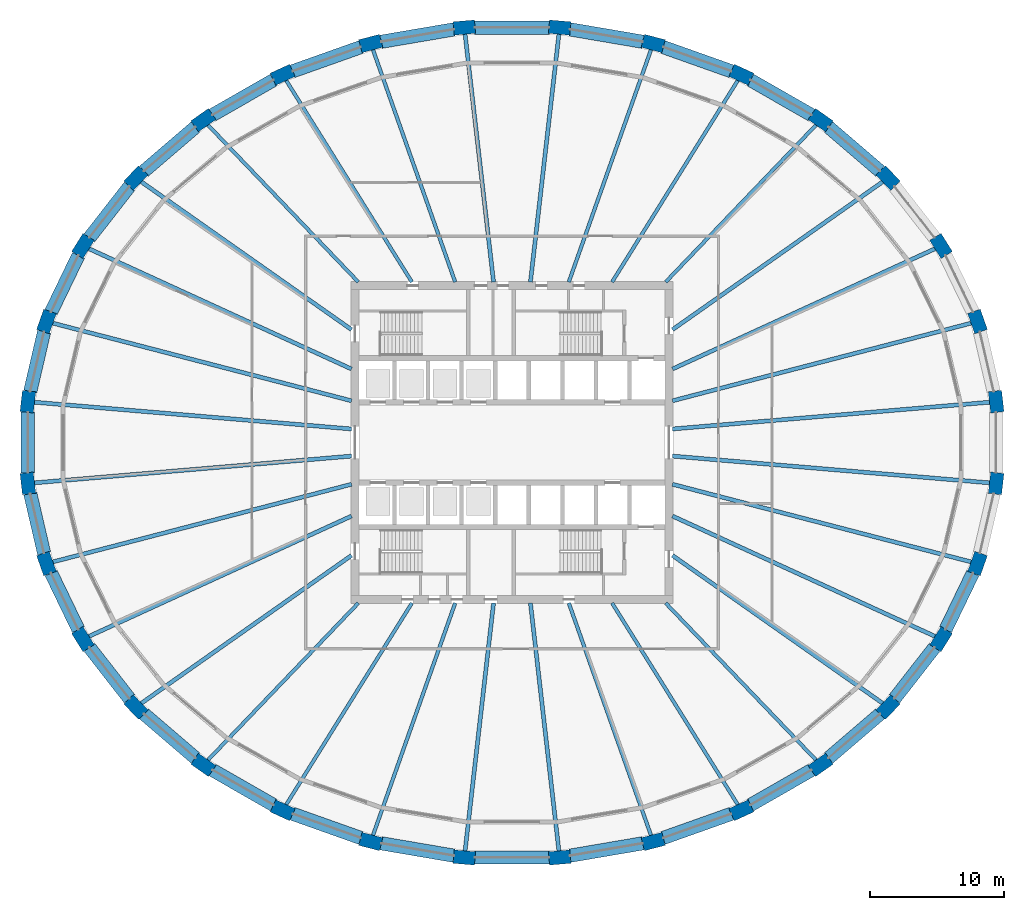
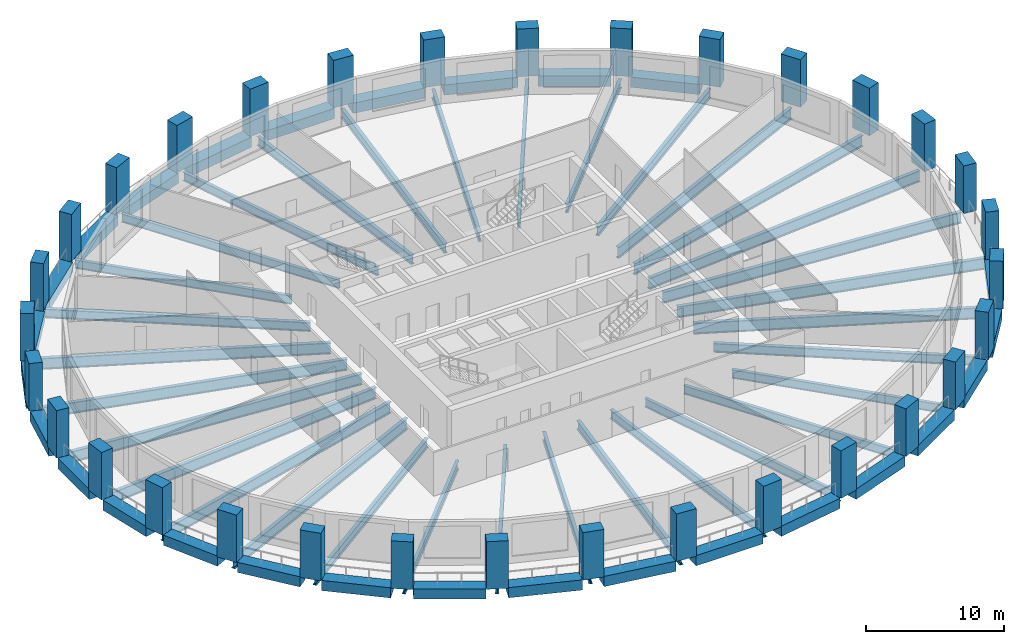
# One storey, part 1 of 10: 59 beams, 32 columns.
"""IFC4 building model written with IfcOpenShell, lengths in metres."""

from ifc_helpers import new_model, si_unit, direction, frame, origin, origin_2d, place, context, subcontext, project, spatial, rectangle, i_section, extrude, material, material_profile, profile_set, type_object, element, save


model = new_model("IFC4")

# Units and contexts
model_context = context("Model", 3, precision=1e-05, world=origin(), true_north=direction((0.0, 1.0)))
body_context = subcontext(model_context, "Body", "Model", "MODEL_VIEW")
ifc_project = project(units=[si_unit("LENGTHUNIT", "METRE"), si_unit("AREAUNIT", "SQUARE_METRE"), si_unit("VOLUMEUNIT", "CUBIC_METRE"), si_unit("PLANEANGLEUNIT", "RADIAN"), si_unit("MASSUNIT", "GRAM", prefix="KILO")], contexts=[model_context])

# Site, building, storey
site_placement = place(None, origin())
site = spatial("IfcSite", under=ifc_project, at=site_placement, CompositionType="ELEMENT")
building_placement = place(site_placement, origin())
building = spatial("IfcBuilding", under=site, at=building_placement, Name="Halqa Exchange Tower", CompositionType="ELEMENT")
storey_placement = place(building_placement, frame((0.0, 0.0, 94.89990234375)))
storey = spatial("IfcBuildingStorey", under=building, at=storey_placement, Name="L21", CompositionType="ELEMENT", Elevation=94.89990234375)

# Columns
ifc_material_1 = material(Name="Concrete C70/85", Category="concrete")
ifc_material_profile_1 = material_profile(ifc_material_1, rectangle(XDim=1.60009765625, YDim=1.0, at=origin_2d()), Name="1600 x 1000")
ifc_profile_set_1 = profile_set([ifc_material_profile_1], Name="Concrete C70/85")
column_type = type_object("IfcColumnType", Name="RC ring column 1600 x 1000 C70/85", PredefinedType="COLUMN", material=ifc_profile_set_1)
for number, where, z_axis, x_axis, name in (
    (1, (36.11474609375, 3.048828125, 0.0), (0.0, 0.0, 1.0), (-0.114156921978, 0.993462730637, 0.0), "Ring column 1"),
    (2, (34.726806640625, 9.029296875, 0.0), (0.0, 0.0, 1.0), (-0.333630814899, 0.942703813162, 0.0), "Ring column 2"),
    (3, (32.00439453125, 14.662841796875, 0.0), (0.0, 0.0, 1.0), (-0.529140496257, 0.848534227489, 0.0), "Ring column 3"),
    (4, (28.05224609375, 19.73291015625, 0.0), (0.0, 0.0, 1.0), (-0.691576091297, 0.722303613411, 0.0), "Ring column 4"),
    (5, (23.021728515625, 24.044677734375, 0.0), (0.0, 0.0, 1.0), (-0.817908788019, 0.57534790734, 0.0), "Ring column 5"),
    (6, (17.106689453125, 27.432373046875, 0.0), (0.0, 0.0, 1.0), (-0.909126368869, 0.416520402174, 0.0), "Ring column 6"),
    (7, (10.5341796875, 29.765869140625, 0.0), (0.0, 0.0, 1.0), (-0.967819942774, 0.251643713153, 0.0), "Ring column 7"),
    (8, (3.556884765625, 30.95556640625, 0.0), (0.0, 0.0, 1.0), (-0.996455518985, 0.084121333105, 0.0), "Ring column 8"),
    (9, (-3.556884765625, 30.95556640625, 0.0), (0.0, 0.0, 1.0), (-0.996455518985, -0.084121333105, 0.0), "Ring column 9"),
    (10, (-10.5341796875, 29.765869140625, 0.0), (0.0, 0.0, 1.0), (-0.967819942774, -0.251643713153, 0.0), "Ring column 10"),
    (11, (-17.106689453125, 27.432373046875, 0.0), (0.0, 0.0, 1.0), (-0.909126368869, -0.416520402174, 0.0), "Ring column 11"),
    (12, (-23.021728515625, 24.044677734375, 0.0), (0.0, 0.0, 1.0), (-0.817908788019, -0.57534790734, 0.0), "Ring column 12"),
    (13, (-28.05224609375, 19.73291015625, 0.0), (0.0, 0.0, 1.0), (-0.691576091297, -0.722303613411, 0.0), "Ring column 13"),
    (14, (-32.00439453125, 14.662841796875, 0.0), (0.0, 0.0, 1.0), (-0.529140496257, -0.848534227489, 0.0), "Ring column 14"),
    (15, (-34.726806640625, 9.029296875, 0.0), (0.0, 0.0, 1.0), (-0.333630814899, -0.942703813162, 0.0), "Ring column 15"),
    (16, (-36.11474609375, 3.048828125, 0.0), (0.0, 0.0, 1.0), (-0.114156921978, -0.993462730637, 0.0), "Ring column 16"),
    (17, (-36.11474609375, -3.048828125, 0.0), (0.0, 0.0, 1.0), (0.114156921978, -0.993462730637, 0.0), "Ring column 17"),
    (18, (-34.726806640625, -9.029296875, 0.0), (0.0, 0.0, 1.0), (0.333630814899, -0.942703813162, 0.0), "Ring column 18"),
    (19, (-32.00439453125, -14.662841796875, 0.0), (0.0, 0.0, 1.0), (0.529140496257, -0.848534227489, 0.0), "Ring column 19"),
    (20, (-28.05224609375, -19.73291015625, 0.0), (0.0, 0.0, 1.0), (0.691576091297, -0.722303613411, 0.0), "Ring column 20"),
    (21, (-23.021728515625, -24.044677734375, 0.0), (0.0, 0.0, 1.0), (0.817908788019, -0.57534790734, 0.0), "Ring column 21"),
    (22, (-17.106689453125, -27.432373046875, 0.0), (0.0, 0.0, 1.0), (0.909126368869, -0.416520402174, 0.0), "Ring column 22"),
    (23, (-10.5341796875, -29.765869140625, 0.0), (0.0, 0.0, 1.0), (0.967819942774, -0.251643713153, 0.0), "Ring column 23"),
    (24, (-3.556884765625, -30.95556640625, 0.0), (0.0, 0.0, 1.0), (0.996455518985, -0.084121333105, 0.0), "Ring column 24"),
    (25, (3.556884765625, -30.95556640625, 0.0), (0.0, 0.0, 1.0), (0.996455518985, 0.084121333105, 0.0), "Ring column 25"),
    (26, (10.5341796875, -29.765869140625, 0.0), (0.0, 0.0, 1.0), (0.967819942774, 0.251643713153, 0.0), "Ring column 26"),
    (27, (17.106689453125, -27.432373046875, 0.0), (0.0, 0.0, 1.0), (0.909126368869, 0.416520402174, 0.0), "Ring column 27"),
    (28, (23.021728515625, -24.044677734375, 0.0), (0.0, 0.0, 1.0), (0.817908788019, 0.57534790734, 0.0), "Ring column 28"),
    (29, (28.05224609375, -19.73291015625, 0.0), (0.0, 0.0, 1.0), (0.691576091297, 0.722303613411, 0.0), "Ring column 29"),
    (30, (32.00439453125, -14.662841796875, 0.0), (0.0, 0.0, 1.0), (0.529140496257, 0.848534227489, 0.0), "Ring column 30"),
    (31, (34.726806640625, -9.029296875, 0.0), (0.0, 0.0, 1.0), (0.333630814899, 0.942703813162, 0.0), "Ring column 31"),
    (32, (36.11474609375, -3.048828125, 0.0), (0.0, 0.0, 1.0), (0.114156921978, 0.993462730637, 0.0), "Ring column 32"),
):
    element("IfcColumn", number, at=place(storey_placement, frame(where, z_axis=z_axis, x_axis=x_axis)), inside=storey, type_object=column_type, Name=name, PredefinedType="COLUMN", context=body_context, shape_type="SweptSolid", body=[
        extrude(rectangle(XDim=1.60009765625, YDim=1.0, at=origin_2d()), origin(), (0.0, 0.0, 1.0), 4.2001953125),
    ])

# Beams
ifc_material_2 = material(Name="Steel S355", Category="steel")
ifc_material_profile_2 = material_profile(ifc_material_2, i_section(OverallWidth=0.300048828125, OverallDepth=0.989990234375, WebThickness=0.0166015625, FlangeThickness=0.031005859375, FilletRadius=0.030029296875, at=origin_2d()), Name="HEA 1000")
ifc_profile_set_2 = profile_set([ifc_material_profile_2], Name="Steel S355")
beam_type_1 = type_object("IfcBeamType", Name="Floor beam HEA 1000", PredefinedType="BEAM", material=ifc_profile_set_2)
beam_1_placement = place(storey_placement, frame((11.972412109375, 1.0107421875, -0.794921875), z_axis=(0.996455472254, 0.084121886657, 0.0), x_axis=(-0.084121886657, 0.996455472254, 0.0)))
element("IfcBeam", 33, at=beam_1_placement, inside=storey, type_object=beam_type_1, Name="Radial beam 1", PredefinedType="BEAM", context=body_context, shape_type="SweptSolid", body=[
    extrude(i_section(OverallWidth=0.300048828125, OverallDepth=0.989990234375, WebThickness=0.0166015625, FlangeThickness=0.031005859375, FilletRadius=0.030029296875, at=origin_2d()), origin(), (0.0, 0.0, 1.0), 23.856201171875),
])
beam_2_placement = place(storey_placement, frame((11.97119140625, 3.11279296875, -0.794921875), z_axis=(0.967821221956, 0.251638793376, 0.0), x_axis=(-0.251638793376, 0.967821221956, 0.0)))
element("IfcBeam", 34, at=beam_2_placement, inside=storey, type_object=beam_type_1, Name="Radial beam 2", PredefinedType="BEAM", context=body_context, shape_type="SweptSolid", body=[
    extrude(i_section(OverallWidth=0.300048828125, OverallDepth=0.989990234375, WebThickness=0.0166015625, FlangeThickness=0.031005859375, FilletRadius=0.030029296875, at=origin_2d()), origin(), (0.0, 0.0, 1.0), 23.138427734375),
])
for number, where, z_axis, x_axis, name in (
    (35, (11.972412109375, 5.485107421875, -0.794921875), (0.909124765465, 0.416523901857, 0.0), (-0.416523901857, 0.909124765465, 0.0), "Radial beam 3"),
    (36, (-11.972412109375, 5.485107421875, -0.794921875), (-0.909124765465, 0.416523901857, 0.0), (-0.416523901857, -0.909124765465, 0.0), "Radial beam 14"),
):
    element("IfcBeam", number, at=place(storey_placement, frame(where, z_axis=z_axis, x_axis=x_axis)), inside=storey, type_object=beam_type_1, Name=name, PredefinedType="BEAM", context=body_context, shape_type="SweptSolid", body=[
        extrude(i_section(OverallWidth=0.300048828125, OverallDepth=0.989990234375, WebThickness=0.0166015625, FlangeThickness=0.031005859375, FilletRadius=0.030029296875, at=origin_2d()), origin(), (0.0, 0.0, 1.0), 21.658447265625),
    ])
beam_3_placement = place(storey_placement, frame((-11.97119140625, 3.11279296875, -0.794921875), z_axis=(-0.967821221956, 0.251638793376, 0.0), x_axis=(-0.251638793376, -0.967821221956, 0.0)))
element("IfcBeam", 37, at=beam_3_placement, inside=storey, type_object=beam_type_1, Name="Radial beam 15", PredefinedType="BEAM", context=body_context, shape_type="SweptSolid", body=[
    extrude(i_section(OverallWidth=0.300048828125, OverallDepth=0.989990234375, WebThickness=0.0166015625, FlangeThickness=0.031005859375, FilletRadius=0.030029296875, at=origin_2d()), origin(), (0.0, 0.0, 1.0), 23.138427734375),
])
for number, where, z_axis, x_axis, name in (
    (38, (-11.972412109375, 1.0107421875, -0.794921875), (-0.996455472254, 0.084121886657, 0.0), (-0.084121886657, -0.996455472254, 0.0), "Radial beam 16"),
    (39, (-11.972412109375, -1.0107421875, -0.794921875), (-0.996455472254, -0.084121886657, 0.0), (0.084121886657, -0.996455472254, 0.0), "Radial beam 17"),
):
    element("IfcBeam", number, at=place(storey_placement, frame(where, z_axis=z_axis, x_axis=x_axis)), inside=storey, type_object=beam_type_1, Name=name, PredefinedType="BEAM", context=body_context, shape_type="SweptSolid", body=[
        extrude(i_section(OverallWidth=0.300048828125, OverallDepth=0.989990234375, WebThickness=0.0166015625, FlangeThickness=0.031005859375, FilletRadius=0.030029296875, at=origin_2d()), origin(), (0.0, 0.0, 1.0), 23.856201171875),
    ])
beam_4_placement = place(storey_placement, frame((-11.97119140625, -3.11279296875, -0.794921875), z_axis=(-0.967821221956, -0.251638793376, 0.0), x_axis=(0.251638793376, -0.967821221956, 0.0)))
element("IfcBeam", 40, at=beam_4_placement, inside=storey, type_object=beam_type_1, Name="Radial beam 18", PredefinedType="BEAM", context=body_context, shape_type="SweptSolid", body=[
    extrude(i_section(OverallWidth=0.300048828125, OverallDepth=0.989990234375, WebThickness=0.0166015625, FlangeThickness=0.031005859375, FilletRadius=0.030029296875, at=origin_2d()), origin(), (0.0, 0.0, 1.0), 23.138427734375),
])
for number, where, z_axis, x_axis, name in (
    (41, (-11.972412109375, -5.485107421875, -0.794921875), (-0.909124765465, -0.416523901857, 0.0), (0.416523901857, -0.909124765465, 0.0), "Radial beam 19"),
    (42, (11.972412109375, -5.485107421875, -0.794921875), (0.909124765465, -0.416523901857, 0.0), (0.416523901857, 0.909124765465, 0.0), "Radial beam 30"),
):
    element("IfcBeam", number, at=place(storey_placement, frame(where, z_axis=z_axis, x_axis=x_axis)), inside=storey, type_object=beam_type_1, Name=name, PredefinedType="BEAM", context=body_context, shape_type="SweptSolid", body=[
        extrude(i_section(OverallWidth=0.300048828125, OverallDepth=0.989990234375, WebThickness=0.0166015625, FlangeThickness=0.031005859375, FilletRadius=0.030029296875, at=origin_2d()), origin(), (0.0, 0.0, 1.0), 21.658447265625),
    ])
beam_5_placement = place(storey_placement, frame((11.97119140625, -3.11279296875, -0.794921875), z_axis=(0.967821221956, -0.251638793376, 0.0), x_axis=(0.251638793376, 0.967821221956, 0.0)))
element("IfcBeam", 43, at=beam_5_placement, inside=storey, type_object=beam_type_1, Name="Radial beam 31", PredefinedType="BEAM", context=body_context, shape_type="SweptSolid", body=[
    extrude(i_section(OverallWidth=0.300048828125, OverallDepth=0.989990234375, WebThickness=0.0166015625, FlangeThickness=0.031005859375, FilletRadius=0.030029296875, at=origin_2d()), origin(), (0.0, 0.0, 1.0), 23.138427734375),
])
beam_6_placement = place(storey_placement, frame((11.972412109375, -1.0107421875, -0.794921875), z_axis=(0.996455472254, -0.084121886657, 0.0), x_axis=(0.084121886657, 0.996455472254, 0.0)))
element("IfcBeam", 44, at=beam_6_placement, inside=storey, type_object=beam_type_1, Name="Radial beam 32", PredefinedType="BEAM", context=body_context, shape_type="SweptSolid", body=[
    extrude(i_section(OverallWidth=0.300048828125, OverallDepth=0.989990234375, WebThickness=0.0166015625, FlangeThickness=0.031005859375, FilletRadius=0.030029296875, at=origin_2d()), origin(), (0.0, 0.0, 1.0), 23.856201171875),
])
ifc_material_profile_3 = material_profile(ifc_material_2, i_section(OverallWidth=0.300048828125, OverallDepth=0.7900390625, WebThickness=0.014892578125, FlangeThickness=0.028076171875, FilletRadius=0.030029296875, at=origin_2d()), Name="HEA 800")
ifc_profile_set_3 = profile_set([ifc_material_profile_3], Name="Steel S355")
beam_type_2 = type_object("IfcBeamType", Name="Floor beam HEA 800", PredefinedType="BEAM", material=ifc_profile_set_3)
for number, where, z_axis, x_axis, name in (
    (45, (1.375732421875, 11.972900390625, -0.69482421875), (0.114150759109, 0.993463438781, 0.0), (-0.993463438781, 0.114150759109, 0.0), "Radial beam 8"),
    (46, (-1.375732421875, 11.972900390625, -0.69482421875), (-0.114150759109, 0.993463438781, 0.0), (-0.993463438781, -0.114150759109, 0.0), "Radial beam 9"),
    (47, (-1.375732421875, -11.972900390625, -0.69482421875), (-0.114150759109, -0.993463438781, 0.0), (0.993463438781, -0.114150759109, 0.0), "Radial beam 24"),
    (48, (1.375732421875, -11.972900390625, -0.69482421875), (0.114150759109, -0.993463438781, 0.0), (0.993463438781, 0.114150759109, 0.0), "Radial beam 25"),
):
    element("IfcBeam", number, at=place(storey_placement, frame(where, z_axis=z_axis, x_axis=x_axis)), inside=storey, type_object=beam_type_2, Name=name, PredefinedType="BEAM", context=body_context, shape_type="SweptSolid", body=[
        extrude(i_section(OverallWidth=0.300048828125, OverallDepth=0.7900390625, WebThickness=0.014892578125, FlangeThickness=0.028076171875, FilletRadius=0.030029296875, at=origin_2d()), origin(), (0.0, 0.0, 1.0), 18.735595703125),
    ])
ifc_material_profile_4 = material_profile(ifc_material_2, i_section(OverallWidth=0.300048828125, OverallDepth=0.800048828125, WebThickness=0.017578125, FlangeThickness=0.032958984375, FilletRadius=0.030029296875, at=origin_2d()), Name="HEB 800")
ifc_profile_set_4 = profile_set([ifc_material_profile_4], Name="Steel S355")
beam_type_3 = type_object("IfcBeamType", Name="Floor beam HEB 800", PredefinedType="BEAM", material=ifc_profile_set_4)
for number, where, z_axis, x_axis, name in (
    (49, (11.972412109375, 8.421875, -0.699951171875), (0.817909909025, 0.575346313727, 0.0), (-0.575346313727, 0.817909909025, 0.0), "Radial beam 4"),
    (50, (-11.972412109375, 8.421875, -0.699951171875), (-0.817909909025, 0.575346313727, 0.0), (-0.575346313727, -0.817909909025, 0.0), "Radial beam 13"),
    (51, (-11.972412109375, -8.421875, -0.699951171875), (-0.817909909025, -0.575346313727, 0.0), (0.575346313727, -0.817909909025, 0.0), "Radial beam 20"),
    (52, (11.972412109375, -8.421875, -0.699951171875), (0.817909909025, -0.575346313727, 0.0), (0.575346313727, 0.817909909025, 0.0), "Radial beam 29"),
):
    element("IfcBeam", number, at=place(storey_placement, frame(where, z_axis=z_axis, x_axis=x_axis)), inside=storey, type_object=beam_type_3, Name=name, PredefinedType="BEAM", context=body_context, shape_type="SweptSolid", body=[
        extrude(i_section(OverallWidth=0.300048828125, OverallDepth=0.800048828125, WebThickness=0.017578125, FlangeThickness=0.032958984375, FilletRadius=0.030029296875, at=origin_2d()), origin(), (0.0, 0.0, 1.0), 19.283447265625),
    ])
ifc_material_profile_5 = material_profile(ifc_material_2, i_section(OverallWidth=0.264892578125, OverallDepth=0.7529296875, WebThickness=0.01318359375, FlangeThickness=0.01708984375, FilletRadius=0.01708984375, at=origin_2d()), Name="IPE 750x147")
ifc_profile_set_5 = profile_set([ifc_material_profile_5], Name="Steel S355")
beam_type_4 = type_object("IfcBeamType", Name="Floor beam IPE 750x147", PredefinedType="BEAM", material=ifc_profile_set_5)
beam_7_placement = place(storey_placement, frame((11.462890625, 11.97216796875, -0.676513671875), z_axis=(0.691570669733, 0.722308804297, 0.0), x_axis=(-0.722308804297, 0.691570669733, 0.0)))
element("IfcBeam", 53, at=beam_7_placement, inside=storey, type_object=beam_type_4, Name="Radial beam 5", PredefinedType="BEAM", context=body_context, shape_type="SweptSolid", body=[
    extrude(i_section(OverallWidth=0.264892578125, OverallDepth=0.7529296875, WebThickness=0.01318359375, FlangeThickness=0.01708984375, FilletRadius=0.01708984375, at=origin_2d()), origin(), (0.0, 0.0, 1.0), 16.337890625),
])
for number, where, z_axis, x_axis, name in (
    (54, (7.466064453125, 11.972412109375, -0.676513671875), (0.529136525929, 0.848536703347, 0.0), (-0.848536703347, 0.529136525929, 0.0), "Radial beam 6"),
    (55, (-7.466064453125, 11.972412109375, -0.676513671875), (-0.529136525929, 0.848536703347, 0.0), (-0.848536703347, -0.529136525929, 0.0), "Radial beam 11"),
):
    element("IfcBeam", number, at=place(storey_placement, frame(where, z_axis=z_axis, x_axis=x_axis)), inside=storey, type_object=beam_type_4, Name=name, PredefinedType="BEAM", context=body_context, shape_type="SweptSolid", body=[
        extrude(i_section(OverallWidth=0.264892578125, OverallDepth=0.7529296875, WebThickness=0.01318359375, FlangeThickness=0.01708984375, FilletRadius=0.01708984375, at=origin_2d()), origin(), (0.0, 0.0, 1.0), 17.843505859375),
    ])
for number, where, z_axis, x_axis, name in (
    (56, (-11.462890625, 11.97216796875, -0.676513671875), (-0.691570669733, 0.722308804297, 0.0), (-0.722308804297, -0.691570669733, 0.0), "Radial beam 12"),
    (57, (-11.462890625, -11.97216796875, -0.676513671875), (-0.691570669733, -0.722308804297, 0.0), (0.722308804297, -0.691570669733, 0.0), "Radial beam 21"),
):
    element("IfcBeam", number, at=place(storey_placement, frame(where, z_axis=z_axis, x_axis=x_axis)), inside=storey, type_object=beam_type_4, Name=name, PredefinedType="BEAM", context=body_context, shape_type="SweptSolid", body=[
        extrude(i_section(OverallWidth=0.264892578125, OverallDepth=0.7529296875, WebThickness=0.01318359375, FlangeThickness=0.01708984375, FilletRadius=0.01708984375, at=origin_2d()), origin(), (0.0, 0.0, 1.0), 16.337890625),
    ])
for number, where, z_axis, x_axis, name in (
    (58, (-7.466064453125, -11.972412109375, -0.676513671875), (-0.529136525929, -0.848536703347, 0.0), (0.848536703347, -0.529136525929, 0.0), "Radial beam 22"),
    (59, (7.466064453125, -11.972412109375, -0.676513671875), (0.529136525929, -0.848536703347, 0.0), (0.848536703347, 0.529136525929, 0.0), "Radial beam 27"),
):
    element("IfcBeam", number, at=place(storey_placement, frame(where, z_axis=z_axis, x_axis=x_axis)), inside=storey, type_object=beam_type_4, Name=name, PredefinedType="BEAM", context=body_context, shape_type="SweptSolid", body=[
        extrude(i_section(OverallWidth=0.264892578125, OverallDepth=0.7529296875, WebThickness=0.01318359375, FlangeThickness=0.01708984375, FilletRadius=0.01708984375, at=origin_2d()), origin(), (0.0, 0.0, 1.0), 17.843505859375),
    ])
beam_8_placement = place(storey_placement, frame((11.462890625, -11.97216796875, -0.676513671875), z_axis=(0.691570669733, -0.722308804297, 0.0), x_axis=(0.722308804297, 0.691570669733, 0.0)))
element("IfcBeam", 60, at=beam_8_placement, inside=storey, type_object=beam_type_4, Name="Radial beam 28", PredefinedType="BEAM", context=body_context, shape_type="SweptSolid", body=[
    extrude(i_section(OverallWidth=0.264892578125, OverallDepth=0.7529296875, WebThickness=0.01318359375, FlangeThickness=0.01708984375, FilletRadius=0.01708984375, at=origin_2d()), origin(), (0.0, 0.0, 1.0), 16.337890625),
])
ifc_material_profile_6 = material_profile(ifc_material_2, i_section(OverallWidth=0.26806640625, OverallDepth=0.77001953125, WebThickness=0.015625, FlangeThickness=0.025390625, FilletRadius=0.01708984375, at=origin_2d()), Name="IPE 750x196")
ifc_profile_set_6 = profile_set([ifc_material_profile_6], Name="Steel S355")
beam_type_5 = type_object("IfcBeamType", Name="Floor beam IPE 750x196", PredefinedType="BEAM", material=ifc_profile_set_6)
for number, where, z_axis, x_axis, name in (
    (61, (4.237060546875, 11.972412109375, -0.684814453125), (0.333624839308, 0.942705927952, 0.0), (-0.942705927952, 0.333624839308, 0.0), "Radial beam 7"),
    (62, (-4.237060546875, 11.972412109375, -0.684814453125), (-0.333624839308, 0.942705927952, 0.0), (-0.942705927952, -0.333624839308, 0.0), "Radial beam 10"),
    (63, (-4.237060546875, -11.972412109375, -0.684814453125), (-0.333624839308, -0.942705927952, 0.0), (0.942705927952, -0.333624839308, 0.0), "Radial beam 23"),
    (64, (4.237060546875, -11.972412109375, -0.684814453125), (0.333624839308, -0.942705927952, 0.0), (0.942705927952, 0.333624839308, 0.0), "Radial beam 26"),
):
    element("IfcBeam", number, at=place(storey_placement, frame(where, z_axis=z_axis, x_axis=x_axis)), inside=storey, type_object=beam_type_5, Name=name, PredefinedType="BEAM", context=body_context, shape_type="SweptSolid", body=[
        extrude(i_section(OverallWidth=0.26806640625, OverallDepth=0.77001953125, WebThickness=0.015625, FlangeThickness=0.025390625, FilletRadius=0.01708984375, at=origin_2d()), origin(), (0.0, 0.0, 1.0), 18.5009765625),
    ])
ifc_material_3 = material(Name="Concrete C60/75", Category="concrete")
ifc_material_profile_7 = material_profile(ifc_material_3, rectangle(XDim=1.0, YDim=0.89990234375, at=origin_2d()), Name="1000 x 900")
ifc_profile_set_7 = profile_set([ifc_material_profile_7], Name="Concrete C60/75")
beam_type_6 = type_object("IfcBeamType", Name="RC spandrel beam 1000 x 900 C60/75", PredefinedType="SPANDREL", material=ifc_profile_set_7)
beam_9_placement = place(storey_placement, frame((27.4638671875, 20.2373046875, -0.449951171875), z_axis=(-0.759287164201, 0.650755716286, 0.0), x_axis=(-0.650755716286, -0.759287164201, 0.0)))
element("IfcBeam", 65, at=beam_9_placement, inside=storey, type_object=beam_type_6, Name="Spandrel 4", PredefinedType="SPANDREL", context=body_context, shape_type="SweptSolid", body=[
    extrude(rectangle(XDim=1.0, YDim=0.89990234375, at=origin_2d()), origin(), (0.0, 0.0, 1.0), 5.074951171875),
])
beam_10_placement = place(storey_placement, frame((22.349609375, 24.4296875, -0.449951171875), z_axis=(-0.867743454254, 0.497012371677, 0.0), x_axis=(-0.497012371677, -0.867743454254, 0.0)))
element("IfcBeam", 66, at=beam_10_placement, inside=storey, type_object=beam_type_6, Name="Spandrel 5", PredefinedType="SPANDREL", context=body_context, shape_type="SweptSolid", body=[
    extrude(rectangle(XDim=1.0, YDim=0.89990234375, at=origin_2d()), origin(), (0.0, 0.0, 1.0), 5.266357421875),
])
beam_11_placement = place(storey_placement, frame((16.376708984375, 27.691650390625, -0.449951171875), z_axis=(-0.942369615116, 0.334573621951, 0.0), x_axis=(-0.334573621951, -0.942369615116, 0.0)))
element("IfcBeam", 67, at=beam_11_placement, inside=storey, type_object=beam_type_6, Name="Spandrel 6", PredefinedType="SPANDREL", context=body_context, shape_type="SweptSolid", body=[
    extrude(rectangle(XDim=1.0, YDim=0.89990234375, at=origin_2d()), origin(), (0.0, 0.0, 1.0), 5.423828125),
])
beam_12_placement = place(storey_placement, frame((9.77001953125, 29.896240234375, -0.449951171875), z_axis=(-0.985777143165, 0.168057799621, 0.0), x_axis=(-0.168057799621, -0.985777143165, 0.0)))
element("IfcBeam", 68, at=beam_12_placement, inside=storey, type_object=beam_type_6, Name="Spandrel 7", PredefinedType="SPANDREL", context=body_context, shape_type="SweptSolid", body=[
    extrude(rectangle(XDim=1.0, YDim=0.89990234375, at=origin_2d()), origin(), (0.0, 0.0, 1.0), 5.527587890625),
])
beam_13_placement = place(storey_placement, frame((2.7822265625, 30.95556640625, -0.449951171875), z_axis=(-1.0, 0.0, 0.0), x_axis=(0.0, -1.0, 0.0)))
element("IfcBeam", 69, at=beam_13_placement, inside=storey, type_object=beam_type_6, Name="Spandrel 8", PredefinedType="SPANDREL", context=body_context, shape_type="SweptSolid", body=[
    extrude(rectangle(XDim=1.0, YDim=0.89990234375, at=origin_2d()), origin(), (0.0, 0.0, 1.0), 5.564453125),
])
beam_14_placement = place(storey_placement, frame((-4.321044921875, 30.8251953125, -0.449951171875), z_axis=(-0.985777143165, -0.168057799621, 0.0), x_axis=(0.168057799621, -0.985777143165, 0.0)))
element("IfcBeam", 70, at=beam_14_placement, inside=storey, type_object=beam_type_6, Name="Spandrel 9", PredefinedType="SPANDREL", context=body_context, shape_type="SweptSolid", body=[
    extrude(rectangle(XDim=1.0, YDim=0.89990234375, at=origin_2d()), origin(), (0.0, 0.0, 1.0), 5.527587890625),
])
beam_15_placement = place(storey_placement, frame((-11.265380859375, 29.50634765625, -0.449951171875), z_axis=(-0.942369615116, -0.334573621951, 0.0), x_axis=(0.334573621951, -0.942369615116, 0.0)))
element("IfcBeam", 71, at=beam_15_placement, inside=storey, type_object=beam_type_6, Name="Spandrel 10", PredefinedType="SPANDREL", context=body_context, shape_type="SweptSolid", body=[
    extrude(rectangle(XDim=1.0, YDim=0.89990234375, at=origin_2d()), origin(), (0.0, 0.0, 1.0), 5.423828125),
])
beam_16_placement = place(storey_placement, frame((-17.77978515625, 27.047119140625, -0.449951171875), z_axis=(-0.867743454254, -0.497012371677, 0.0), x_axis=(0.497012371677, -0.867743454254, 0.0)))
element("IfcBeam", 72, at=beam_16_placement, inside=storey, type_object=beam_type_6, Name="Spandrel 11", PredefinedType="SPANDREL", context=body_context, shape_type="SweptSolid", body=[
    extrude(rectangle(XDim=1.0, YDim=0.89990234375, at=origin_2d()), origin(), (0.0, 0.0, 1.0), 5.266357421875),
])
beam_17_placement = place(storey_placement, frame((-23.610595703125, 23.539794921875, -0.449951171875), z_axis=(-0.759287164201, -0.650755716286, 0.0), x_axis=(0.650755716286, -0.759287164201, 0.0)))
element("IfcBeam", 73, at=beam_17_placement, inside=storey, type_object=beam_type_6, Name="Spandrel 12", PredefinedType="SPANDREL", context=body_context, shape_type="SweptSolid", body=[
    extrude(rectangle(XDim=1.0, YDim=0.89990234375, at=origin_2d()), origin(), (0.0, 0.0, 1.0), 5.074951171875),
])
beam_18_placement = place(storey_placement, frame((-28.529296875, 19.120849609375, -0.449951171875), z_axis=(-0.614817026553, -0.788669781252, 0.0), x_axis=(0.788669781252, -0.614817026553, 0.0)))
element("IfcBeam", 74, at=beam_18_placement, inside=storey, type_object=beam_type_6, Name="Spandrel 13", PredefinedType="SPANDREL", context=body_context, shape_type="SweptSolid", body=[
    extrude(rectangle(XDim=1.0, YDim=0.89990234375, at=origin_2d()), origin(), (0.0, 0.0, 1.0), 4.877197265625),
])
beam_19_placement = place(storey_placement, frame((-32.34228515625, 13.963623046875, -0.449951171875), z_axis=(-0.435149722828, -0.900358105824, 0.0), x_axis=(0.900358105824, -0.435149722828, 0.0)))
element("IfcBeam", 75, at=beam_19_placement, inside=storey, type_object=beam_type_6, Name="Spandrel 14", PredefinedType="SPANDREL", context=body_context, shape_type="SweptSolid", body=[
    extrude(rectangle(XDim=1.0, YDim=0.89990234375, at=origin_2d()), origin(), (0.0, 0.0, 1.0), 4.70263671875),
])
beam_20_placement = place(storey_placement, frame((-34.90234375, 8.273193359375, -0.449951171875), z_axis=(-0.226091821928, -0.974105994262, 0.0), x_axis=(0.974105994262, -0.226091821928, 0.0)))
element("IfcBeam", 76, at=beam_20_placement, inside=storey, type_object=beam_type_6, Name="Spandrel 15", PredefinedType="SPANDREL", context=body_context, shape_type="SweptSolid", body=[
    extrude(rectangle(XDim=1.0, YDim=0.89990234375, at=origin_2d()), origin(), (0.0, 0.0, 1.0), 4.5859375),
])
beam_21_placement = place(storey_placement, frame((-36.11474609375, 2.271484375, -0.449951171875), z_axis=(0.0, -1.0, 0.0), x_axis=(1.0, 0.0, 0.0)))
element("IfcBeam", 77, at=beam_21_placement, inside=storey, type_object=beam_type_6, Name="Spandrel 16", PredefinedType="SPANDREL", context=body_context, shape_type="SweptSolid", body=[
    extrude(rectangle(XDim=1.0, YDim=0.89990234375, at=origin_2d()), origin(), (0.0, 0.0, 1.0), 4.54296875),
])
beam_22_placement = place(storey_placement, frame((-35.939208984375, -3.805908203125, -0.449951171875), z_axis=(0.226091821928, -0.974105994262, 0.0), x_axis=(0.974105994262, 0.226091821928, 0.0)))
element("IfcBeam", 78, at=beam_22_placement, inside=storey, type_object=beam_type_6, Name="Spandrel 17", PredefinedType="SPANDREL", context=body_context, shape_type="SweptSolid", body=[
    extrude(rectangle(XDim=1.0, YDim=0.89990234375, at=origin_2d()), origin(), (0.0, 0.0, 1.0), 4.5859375),
])
beam_23_placement = place(storey_placement, frame((-34.388671875, -9.7294921875, -0.449951171875), z_axis=(0.435149722828, -0.900358105824, 0.0), x_axis=(0.900358105824, 0.435149722828, 0.0)))
element("IfcBeam", 79, at=beam_23_placement, inside=storey, type_object=beam_type_6, Name="Spandrel 18", PredefinedType="SPANDREL", context=body_context, shape_type="SweptSolid", body=[
    extrude(rectangle(XDim=1.0, YDim=0.89990234375, at=origin_2d()), origin(), (0.0, 0.0, 1.0), 4.70263671875),
])
beam_24_placement = place(storey_placement, frame((-31.52783203125, -15.2744140625, -0.449951171875), z_axis=(0.614817026553, -0.788669781252, 0.0), x_axis=(0.788669781252, 0.614817026553, 0.0)))
element("IfcBeam", 80, at=beam_24_placement, inside=storey, type_object=beam_type_6, Name="Spandrel 19", PredefinedType="SPANDREL", context=body_context, shape_type="SweptSolid", body=[
    extrude(rectangle(XDim=1.0, YDim=0.89990234375, at=origin_2d()), origin(), (0.0, 0.0, 1.0), 4.877197265625),
])
beam_25_placement = place(storey_placement, frame((-27.4638671875, -20.2373046875, -0.449951171875), z_axis=(0.759287164201, -0.650755716286, 0.0), x_axis=(0.650755716286, 0.759287164201, 0.0)))
element("IfcBeam", 81, at=beam_25_placement, inside=storey, type_object=beam_type_6, Name="Spandrel 20", PredefinedType="SPANDREL", context=body_context, shape_type="SweptSolid", body=[
    extrude(rectangle(XDim=1.0, YDim=0.89990234375, at=origin_2d()), origin(), (0.0, 0.0, 1.0), 5.074951171875),
])
beam_26_placement = place(storey_placement, frame((-22.349609375, -24.4296875, -0.449951171875), z_axis=(0.867743454254, -0.497012371677, 0.0), x_axis=(0.497012371677, 0.867743454254, 0.0)))
element("IfcBeam", 82, at=beam_26_placement, inside=storey, type_object=beam_type_6, Name="Spandrel 21", PredefinedType="SPANDREL", context=body_context, shape_type="SweptSolid", body=[
    extrude(rectangle(XDim=1.0, YDim=0.89990234375, at=origin_2d()), origin(), (0.0, 0.0, 1.0), 5.266357421875),
])
beam_27_placement = place(storey_placement, frame((-16.376708984375, -27.691650390625, -0.449951171875), z_axis=(0.942369615116, -0.334573621951, 0.0), x_axis=(0.334573621951, 0.942369615116, 0.0)))
element("IfcBeam", 83, at=beam_27_placement, inside=storey, type_object=beam_type_6, Name="Spandrel 22", PredefinedType="SPANDREL", context=body_context, shape_type="SweptSolid", body=[
    extrude(rectangle(XDim=1.0, YDim=0.89990234375, at=origin_2d()), origin(), (0.0, 0.0, 1.0), 5.423828125),
])
beam_28_placement = place(storey_placement, frame((-9.77001953125, -29.896240234375, -0.449951171875), z_axis=(0.985777143165, -0.168057799621, 0.0), x_axis=(0.168057799621, 0.985777143165, 0.0)))
element("IfcBeam", 84, at=beam_28_placement, inside=storey, type_object=beam_type_6, Name="Spandrel 23", PredefinedType="SPANDREL", context=body_context, shape_type="SweptSolid", body=[
    extrude(rectangle(XDim=1.0, YDim=0.89990234375, at=origin_2d()), origin(), (0.0, 0.0, 1.0), 5.527587890625),
])
beam_29_placement = place(storey_placement, frame((-2.7822265625, -30.95556640625, -0.449951171875), z_axis=(1.0, 0.0, 0.0), x_axis=(0.0, 1.0, 0.0)))
element("IfcBeam", 85, at=beam_29_placement, inside=storey, type_object=beam_type_6, Name="Spandrel 24", PredefinedType="SPANDREL", context=body_context, shape_type="SweptSolid", body=[
    extrude(rectangle(XDim=1.0, YDim=0.89990234375, at=origin_2d()), origin(), (0.0, 0.0, 1.0), 5.564453125),
])
beam_30_placement = place(storey_placement, frame((4.321044921875, -30.8251953125, -0.449951171875), z_axis=(0.985777143165, 0.168057799621, 0.0), x_axis=(-0.168057799621, 0.985777143165, 0.0)))
element("IfcBeam", 86, at=beam_30_placement, inside=storey, type_object=beam_type_6, Name="Spandrel 25", PredefinedType="SPANDREL", context=body_context, shape_type="SweptSolid", body=[
    extrude(rectangle(XDim=1.0, YDim=0.89990234375, at=origin_2d()), origin(), (0.0, 0.0, 1.0), 5.527587890625),
])
beam_31_placement = place(storey_placement, frame((11.265380859375, -29.50634765625, -0.449951171875), z_axis=(0.942369615116, 0.334573621951, 0.0), x_axis=(-0.334573621951, 0.942369615116, 0.0)))
element("IfcBeam", 87, at=beam_31_placement, inside=storey, type_object=beam_type_6, Name="Spandrel 26", PredefinedType="SPANDREL", context=body_context, shape_type="SweptSolid", body=[
    extrude(rectangle(XDim=1.0, YDim=0.89990234375, at=origin_2d()), origin(), (0.0, 0.0, 1.0), 5.423828125),
])
beam_32_placement = place(storey_placement, frame((17.77978515625, -27.047119140625, -0.449951171875), z_axis=(0.867743454254, 0.497012371677, 0.0), x_axis=(-0.497012371677, 0.867743454254, 0.0)))
element("IfcBeam", 88, at=beam_32_placement, inside=storey, type_object=beam_type_6, Name="Spandrel 27", PredefinedType="SPANDREL", context=body_context, shape_type="SweptSolid", body=[
    extrude(rectangle(XDim=1.0, YDim=0.89990234375, at=origin_2d()), origin(), (0.0, 0.0, 1.0), 5.266357421875),
])
beam_33_placement = place(storey_placement, frame((23.610595703125, -23.539794921875, -0.449951171875), z_axis=(0.759287164201, 0.650755716286, 0.0), x_axis=(-0.650755716286, 0.759287164201, 0.0)))
element("IfcBeam", 89, at=beam_33_placement, inside=storey, type_object=beam_type_6, Name="Spandrel 28", PredefinedType="SPANDREL", context=body_context, shape_type="SweptSolid", body=[
    extrude(rectangle(XDim=1.0, YDim=0.89990234375, at=origin_2d()), origin(), (0.0, 0.0, 1.0), 5.074951171875),
])
beam_34_placement = place(storey_placement, frame((28.529296875, -19.120849609375, -0.449951171875), z_axis=(0.614817026553, 0.788669781252, 0.0), x_axis=(-0.788669781252, 0.614817026553, 0.0)))
element("IfcBeam", 90, at=beam_34_placement, inside=storey, type_object=beam_type_6, Name="Spandrel 29", PredefinedType="SPANDREL", context=body_context, shape_type="SweptSolid", body=[
    extrude(rectangle(XDim=1.0, YDim=0.89990234375, at=origin_2d()), origin(), (0.0, 0.0, 1.0), 4.877197265625),
])
beam_35_placement = place(storey_placement, frame((32.34228515625, -13.963623046875, -0.449951171875), z_axis=(0.435149722828, 0.900358105824, 0.0), x_axis=(-0.900358105824, 0.435149722828, 0.0)))
element("IfcBeam", 91, at=beam_35_placement, inside=storey, type_object=beam_type_6, Name="Spandrel 30", PredefinedType="SPANDREL", context=body_context, shape_type="SweptSolid", body=[
    extrude(rectangle(XDim=1.0, YDim=0.89990234375, at=origin_2d()), origin(), (0.0, 0.0, 1.0), 4.70263671875),
])

save(model, "model.ifc")
